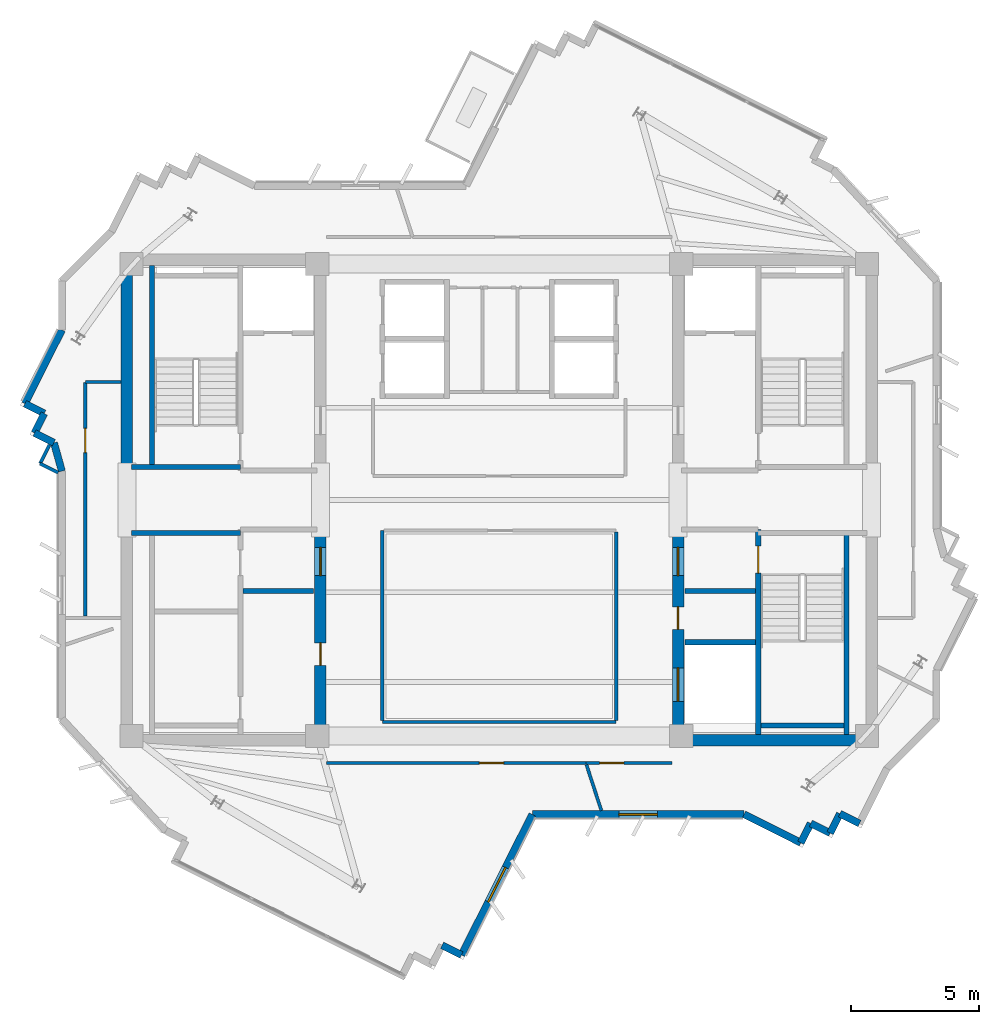
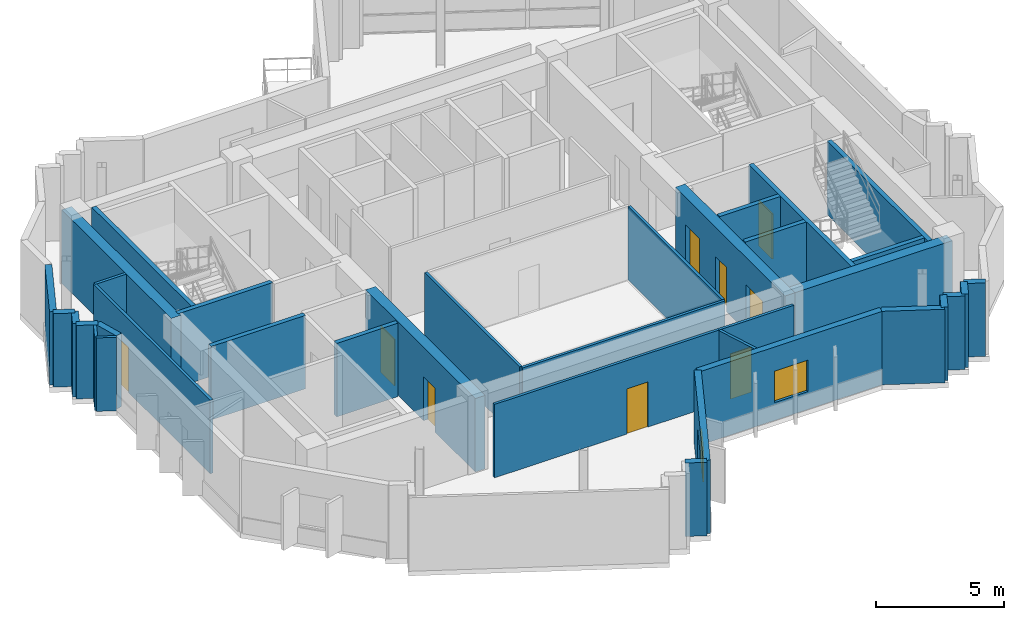
# One storey, part 6 of 11: 36 walls, 9 doors, 2 windows, 11 openings.
"""IFC4 building model written with IfcOpenShell, lengths in metres."""

from ifc_helpers import new_model, si_unit, direction, frame, frame_2d, origin, place, context, subcontext, project, spatial, rectangle, extrude, source, transform, mapped, material, layer, layer_set, type_object, element, fill, save


model = new_model("IFC4")

# Units and contexts
model_context = context("Model", 3, precision=1e-05, world=origin(), true_north=direction((0.0, 1.0)))
body_context = subcontext(model_context, "Body", "Model", "MODEL_VIEW")
ifc_project = project(units=[si_unit("LENGTHUNIT", "METRE"), si_unit("AREAUNIT", "SQUARE_METRE"), si_unit("VOLUMEUNIT", "CUBIC_METRE"), si_unit("PLANEANGLEUNIT", "RADIAN"), si_unit("MASSUNIT", "GRAM", prefix="KILO")], contexts=[model_context])

# Site, building, storey
site_placement = place(None, origin())
site = spatial("IfcSite", under=ifc_project, at=site_placement, CompositionType="ELEMENT")
building_placement = place(site_placement, origin())
building = spatial("IfcBuilding", under=site, at=building_placement, Name="Zahravan Cultural Tower", CompositionType="ELEMENT")
storey_placement = place(building_placement, frame((0.0, 0.0, 353.550048828125)))
storey = spatial("IfcBuildingStorey", under=building, at=storey_placement, Name="L86", CompositionType="ELEMENT", Elevation=353.550048828125)

# Wall, openings, doors
ifc_material_1 = material(Name="Concrete C50/60", Category="concrete")
ifc_layer_1 = layer(ifc_material_1, 0.449951171875)
ifc_layer_set_1 = layer_set([ifc_layer_1], Name="Concrete C50/60")
wall_type_1 = type_object("IfcWallType", Name="CW-SHEAR-450-C50", PredefinedType="SHEAR", material=ifc_layer_set_1)
wall_1_placement = place(storey_placement, frame((29.02490234375, 17.39990234375, 0.0), z_axis=(0.0, 0.0, 1.0), x_axis=(0.0, 1.0, 0.0)))
wall_1 = element("IfcWall", 1, at=wall_1_placement, inside=storey, type_object=wall_type_1, Name="L86 Core Shear Wall CW-W-ES-L86", PredefinedType="SHEAR", context=body_context, shape_type="SweptSolid", body=[
    extrude(rectangle(XDim=8.550048828125, YDim=0.449951171875, at=frame_2d((4.27490234375, 0.0))), origin(), (0.0, 0.0, 1.0), 3.5),
])
opening_1_placement = place(wall_1_placement, frame((6.64990234375, 0.0, 0.0)))
opening_1 = element("IfcOpeningElement", 2, at=opening_1_placement, cuts=wall_1, Name="Opening D-L86-08", PredefinedType="OPENING", context=body_context, shape_type="SweptSolid", body=[
    extrude(rectangle(XDim=1.10009765625, YDim=2.199951171875, at=frame_2d((0.550048828125, 1.10009765625))), frame((0.0, 0.23486328125, 0.0), z_axis=(0.0, -1.0, 0.0), x_axis=(1.0, 0.0, 0.0)), (0.0, 0.0, 1.0), 0.469970703125),
])
opening_2_placement = place(wall_1_placement, frame((3.14990234375, 0.0, 0.0)))
opening_2 = element("IfcOpeningElement", 3, at=opening_2_placement, cuts=wall_1, Name="Opening D-L86-10", PredefinedType="OPENING", context=body_context, shape_type="SweptSolid", body=[
    extrude(rectangle(XDim=0.8798828125, YDim=2.10009765625, at=frame_2d((0.43994140625, 1.050048828125))), frame((0.0, 0.23486328125, 0.0), z_axis=(0.0, -1.0, 0.0), x_axis=(1.0, 0.0, 0.0)), (0.0, 0.0, 1.0), 0.469970703125),
])
ifc_material_2 = material(Name="Steel ASTM A572 Grade 50", Category="steel")
door_type_1 = type_object("IfcDoorType", Name="DR-LOBBY-1100", OperationType="NOTDEFINED", PredefinedType="DOOR", material=ifc_material_2)
shared_shape_1 = source(origin(), body_context, "Body", "SweptSolid", [
    extrude(rectangle(XDim=1.10009765625, YDim=2.199951171875, at=frame_2d((0.550048828125, 1.10009765625))), frame((0.0, 0.02490234375, 0.0), z_axis=(0.0, -1.0, 0.0), x_axis=(1.0, 0.0, 0.0)), (0.0, 0.0, 1.0), 0.050048828125),
])
door_1_placement = place(opening_1_placement, origin())
door_1 = element("IfcDoor", 4, at=door_1_placement, inside=storey, type_object=door_type_1, Name="L86 Door D-L86-08", OperationType="SINGLE_SWING_RIGHT", OverallHeight=2.199951171875, OverallWidth=1.10009765625, PredefinedType="DOOR", context=body_context, shape_type="MappedRepresentation", body=[
    mapped(shared_shape_1, transform((0.0, 0.0, 0.0), x_axis=(1.0, 0.0, 0.0), y_axis=(0.0, 1.0, 0.0), z_axis=(0.0, 0.0, 1.0), scale=1.0)),
])
fill(opening_1, door_1)
door_type_2 = type_object("IfcDoorType", Name="DR-SVC-880", OperationType="NOTDEFINED", PredefinedType="DOOR", material=ifc_material_2)
shared_shape_2 = source(origin(), body_context, "Body", "SweptSolid", [
    extrude(rectangle(XDim=0.8798828125, YDim=2.10009765625, at=frame_2d((0.43994140625, 1.050048828125))), frame((0.0, 0.02490234375, 0.0), z_axis=(0.0, -1.0, 0.0), x_axis=(1.0, 0.0, 0.0)), (0.0, 0.0, 1.0), 0.050048828125),
])
door_2_placement = place(opening_2_placement, origin())
door_2 = element("IfcDoor", 5, at=door_2_placement, inside=storey, type_object=door_type_2, Name="L86 Door D-L86-10", OperationType="SINGLE_SWING_RIGHT", OverallHeight=2.10009765625, OverallWidth=0.8798828125, PredefinedType="DOOR", context=body_context, shape_type="MappedRepresentation", body=[
    mapped(shared_shape_2, transform((0.0, 0.0, 0.0), x_axis=(1.0, 0.0, 0.0), y_axis=(0.0, 1.0, 0.0), z_axis=(0.0, 0.0, 1.0), scale=1.0)),
])
fill(opening_2, door_2)

wall_2_placement = place(storey_placement, frame((42.97509765625, 17.39990234375, 0.0), z_axis=(0.0, 0.0, 1.0), x_axis=(0.0, 1.0, 0.0)))
wall_2 = element("IfcWall", 6, at=wall_2_placement, inside=storey, type_object=wall_type_1, Name="L86 Core Shear Wall CW-E-WS-L86", PredefinedType="SHEAR", context=body_context, shape_type="SweptSolid", body=[
    extrude(rectangle(XDim=8.550048828125, YDim=0.449951171875, at=frame_2d((4.27490234375, 0.0))), origin(), (0.0, 0.0, 1.0), 3.5),
])
opening_3_placement = place(wall_2_placement, frame((6.64990234375, 0.0, 0.0)))
opening_3 = element("IfcOpeningElement", 7, at=opening_3_placement, cuts=wall_2, Name="Opening D-L86-09", PredefinedType="OPENING", context=body_context, shape_type="SweptSolid", body=[
    extrude(rectangle(XDim=1.10009765625, YDim=2.199951171875, at=frame_2d((0.550048828125, 1.10009765625))), frame((0.0, 0.23486328125, 0.0), z_axis=(0.0, -1.0, 0.0), x_axis=(1.0, 0.0, 0.0)), (0.0, 0.0, 1.0), 0.469970703125),
])
opening_4_placement = place(wall_2_placement, frame((1.75, 0.0, 0.0)))
opening_4 = element("IfcOpeningElement", 8, at=opening_4_placement, cuts=wall_2, Name="Opening LD-L86-03", PredefinedType="OPENING", context=body_context, shape_type="SweptSolid", body=[
    extrude(rectangle(XDim=1.300048828125, YDim=2.199951171875, at=frame_2d((0.64990234375, 1.10009765625))), frame((0.0, 0.23486328125, 0.0), z_axis=(0.0, -1.0, 0.0), x_axis=(1.0, 0.0, 0.0)), (0.0, 0.0, 1.0), 0.469970703125),
])
opening_5_placement = place(wall_2_placement, frame((4.550048828125, 0.0, 0.0)))
opening_5 = element("IfcOpeningElement", 9, at=opening_5_placement, cuts=wall_2, Name="Opening D-L86-11", PredefinedType="OPENING", context=body_context, shape_type="SweptSolid", body=[
    extrude(rectangle(XDim=0.8798828125, YDim=2.10009765625, at=frame_2d((0.43994140625, 1.050048828125))), frame((0.0, 0.23486328125, 0.0), z_axis=(0.0, -1.0, 0.0), x_axis=(1.0, 0.0, 0.0)), (0.0, 0.0, 1.0), 0.469970703125),
])
door_3_placement = place(opening_3_placement, origin())
door_3 = element("IfcDoor", 10, at=door_3_placement, inside=storey, type_object=door_type_1, Name="L86 Door D-L86-09", OperationType="SINGLE_SWING_LEFT", OverallHeight=2.199951171875, OverallWidth=1.10009765625, PredefinedType="DOOR", context=body_context, shape_type="MappedRepresentation", body=[
    mapped(shared_shape_1, transform((0.0, 0.0, 0.0), x_axis=(1.0, 0.0, 0.0), y_axis=(0.0, 1.0, 0.0), z_axis=(0.0, 0.0, 1.0), scale=1.0)),
])
fill(opening_3, door_3)
door_type_3 = type_object("IfcDoorType", Name="DR-LIFT-1300", OperationType="DOUBLE_DOOR_SLIDING", PredefinedType="DOOR", material=ifc_material_2)
shared_shape_3 = source(origin(), body_context, "Body", "SweptSolid", [
    extrude(rectangle(XDim=1.300048828125, YDim=2.199951171875, at=frame_2d((0.64990234375, 1.10009765625))), frame((0.0, 0.02490234375, 0.0), z_axis=(0.0, -1.0, 0.0), x_axis=(1.0, 0.0, 0.0)), (0.0, 0.0, 1.0), 0.050048828125),
])
door_4_placement = place(opening_4_placement, origin())
door_4 = element("IfcDoor", 11, at=door_4_placement, inside=storey, type_object=door_type_3, Name="L86 Door LD-L86-03", OperationType="DOUBLE_DOOR_SLIDING", OverallHeight=2.199951171875, OverallWidth=1.300048828125, PredefinedType="DOOR", context=body_context, shape_type="MappedRepresentation", body=[
    mapped(shared_shape_3, transform((0.0, 0.0, 0.0), x_axis=(1.0, 0.0, 0.0), y_axis=(0.0, 1.0, 0.0), z_axis=(0.0, 0.0, 1.0), scale=1.0)),
])
fill(opening_4, door_4)
door_5_placement = place(opening_5_placement, origin())
door_5 = element("IfcDoor", 12, at=door_5_placement, inside=storey, type_object=door_type_2, Name="L86 Door D-L86-11", OperationType="SINGLE_SWING_LEFT", OverallHeight=2.10009765625, OverallWidth=0.8798828125, PredefinedType="DOOR", context=body_context, shape_type="MappedRepresentation", body=[
    mapped(shared_shape_2, transform((0.0, 0.0, 0.0), x_axis=(1.0, 0.0, 0.0), y_axis=(0.0, 1.0, 0.0), z_axis=(0.0, 0.0, 1.0), scale=1.0)),
])
fill(opening_5, door_5)

# Wall, opening, window
ifc_material_3 = material(Name="Precast concrete C40/50", Category="concrete")
ifc_layer_2 = layer(ifc_material_3, 0.280029296875)
ifc_layer_set_2 = layer_set([ifc_layer_2], Name="Precast concrete C40/50")
wall_type_2 = type_object("IfcWallType", Name="EW-TC-280", PredefinedType="SOLIDWALL", material=ifc_layer_set_2)
wall_3_placement = place(storey_placement, frame((45.5537109375, 14.739990234375, 0.0), z_axis=(0.0, 0.0, 1.0), x_axis=(-1.0, 0.0, 0.0)))
wall_3 = element("IfcWall", 13, at=wall_3_placement, inside=storey, type_object=wall_type_2, Name="L86 Exterior Masonry Frame Wall 23", PredefinedType="SOLIDWALL", context=body_context, shape_type="SweptSolid", body=[
    extrude(rectangle(XDim=8.264892578125, YDim=0.280029296875, at=frame_2d((4.13232421875, 0.0))), origin(), (0.0, 0.0, 1.0), 3.5),
])
opening_6_placement = place(wall_3_placement, frame((3.383056640625, 0.0, 0.85009765625)))
opening_6 = element("IfcOpeningElement", 14, at=opening_6_placement, cuts=wall_3, Name="Opening WN-03", PredefinedType="OPENING", context=body_context, shape_type="SweptSolid", body=[
    extrude(rectangle(XDim=1.5, YDim=1.5, at=frame_2d((0.75, 0.75))), frame((0.0, 0.14990234375, 0.0), z_axis=(0.0, -1.0, 0.0), x_axis=(1.0, 0.0, 0.0)), (0.0, 0.0, 1.0), 0.300048828125),
])
ifc_material_4 = material(Name="Low-E solar-control double glazing", Category="glass")
window_type = type_object("IfcWindowType", Name="WN-REC-1500X1500", PartitioningType="SINGLE_PANEL", PredefinedType="WINDOW", material=ifc_material_4)
shared_shape_4 = source(origin(), body_context, "Body", "SweptSolid", [
    extrude(rectangle(XDim=1.5, YDim=1.5, at=frame_2d((0.75, 0.75))), frame((0.0, 0.030029296875, 0.0), z_axis=(0.0, -1.0, 0.0), x_axis=(1.0, 0.0, 0.0)), (0.0, 0.0, 1.0), 0.06005859375),
])
window_1_placement = place(opening_6_placement, origin())
window_1 = element("IfcWindow", 15, at=window_1_placement, inside=storey, type_object=window_type, Name="L86 Recessed Solar Window 03", OverallHeight=1.5, OverallWidth=1.5, PartitioningType="SINGLE_PANEL", PredefinedType="WINDOW", context=body_context, shape_type="MappedRepresentation", body=[
    mapped(shared_shape_4, transform((0.0, 0.0, 0.0), x_axis=(1.0, 0.0, 0.0), y_axis=(0.0, 1.0, 0.0), z_axis=(0.0, 0.0, 1.0), scale=1.0)),
])
fill(opening_6, window_1)

wall_4_placement = place(storey_placement, frame((37.288818359375, 14.739990234375, 0.0), z_axis=(0.0, 0.0, 1.0), x_axis=(-0.449325511899, -0.893368112458, 0.0)))
wall_4 = element("IfcWall", 16, at=wall_4_placement, inside=storey, type_object=wall_type_2, Name="L86 Exterior Masonry Frame Wall 24", PredefinedType="SOLIDWALL", context=body_context, shape_type="SweptSolid", body=[
    extrude(rectangle(XDim=6.146484375, YDim=0.280029296875, at=frame_2d((3.0732421875, 0.0))), origin(), (0.0, 0.0, 1.0), 3.5),
])
opening_7_placement = place(wall_4_placement, frame((2.322998046875, 0.0, 0.85009765625)))
opening_7 = element("IfcOpeningElement", 17, at=opening_7_placement, cuts=wall_4, Name="Opening WN-03", PredefinedType="OPENING", context=body_context, shape_type="SweptSolid", body=[
    extrude(rectangle(XDim=1.5, YDim=1.5, at=frame_2d((0.75, 0.75))), frame((0.0, 0.14990234375, 0.0), z_axis=(0.0, -1.0, 0.0), x_axis=(1.0, 0.0, 0.0)), (0.0, 0.0, 1.0), 0.300048828125),
])
window_2_placement = place(opening_7_placement, origin())
window_2 = element("IfcWindow", 18, at=window_2_placement, inside=storey, type_object=window_type, Name="L86 Recessed Solar Window 04", OverallHeight=1.5, OverallWidth=1.5, PartitioningType="SINGLE_PANEL", PredefinedType="WINDOW", context=body_context, shape_type="MappedRepresentation", body=[
    mapped(shared_shape_4, transform((0.0, 0.0, 0.0), x_axis=(1.0, 0.0, 0.0), y_axis=(0.0, 1.0, 0.0), z_axis=(0.0, 0.0, 1.0), scale=1.0)),
])
fill(opening_7, window_2)

# Wall, opening, door
ifc_material_5 = material(Name="Gypsum plasterboard partition")
ifc_layer_3 = layer(ifc_material_5, 0.125)
ifc_layer_set_3 = layer_set([ifc_layer_3], Name="Gypsum plasterboard partition")
wall_type_3 = type_object("IfcWallType", Name="W-PART-125", PredefinedType="PARTITIONING", material=ifc_layer_set_3)
wall_5_placement = place(storey_placement, frame((39.380126953125, 16.739990234375, 0.0), z_axis=(0.0, 0.0, 1.0), x_axis=(1.0, 0.0, 0.0)))
wall_5 = element("IfcWall", 19, at=wall_5_placement, inside=storey, type_object=wall_type_3, Name="L86 Interior Wall 059", PredefinedType="PARTITIONING", context=body_context, shape_type="SweptSolid", body=[
    extrude(rectangle(XDim=3.364013671875, YDim=0.125, at=frame_2d((1.68212890625, 0.0))), origin(), (0.0, 0.0, 1.0), 3.5),
])
opening_8_placement = place(wall_5_placement, frame((0.531005859375, 0.0, 0.0)))
opening_8 = element("IfcOpeningElement", 20, at=opening_8_placement, cuts=wall_5, Name="Opening D-L86-20", PredefinedType="OPENING", context=body_context, shape_type="SweptSolid", body=[
    extrude(rectangle(XDim=0.949951171875, YDim=2.14990234375, at=frame_2d((0.47509765625, 1.074951171875))), frame((0.0, 0.072509765625, 0.0), z_axis=(0.0, -1.0, 0.0), x_axis=(1.0, 0.0, 0.0)), (0.0, 0.0, 1.0), 0.14501953125),
])
ifc_material_6 = material(Name="Anodised bronze-aluminium mullion", Category="aluminium")
door_type_4 = type_object("IfcDoorType", Name="DR-ROOM-950", OperationType="NOTDEFINED", PredefinedType="DOOR", material=ifc_material_6)
shared_shape_5 = source(origin(), body_context, "Body", "SweptSolid", [
    extrude(rectangle(XDim=0.949951171875, YDim=2.14990234375, at=frame_2d((0.47509765625, 1.074951171875))), frame((0.0, 0.02490234375, 0.0), z_axis=(0.0, -1.0, 0.0), x_axis=(1.0, 0.0, 0.0)), (0.0, 0.0, 1.0), 0.050048828125),
])
door_6_placement = place(opening_8_placement, origin())
door_6 = element("IfcDoor", 21, at=door_6_placement, inside=storey, type_object=door_type_4, Name="L86 Door D-L86-20", OperationType="SINGLE_SWING_RIGHT", OverallHeight=2.14990234375, OverallWidth=0.949951171875, PredefinedType="DOOR", context=body_context, shape_type="MappedRepresentation", body=[
    mapped(shared_shape_5, transform((0.0, 0.0, 0.0), x_axis=(1.0, 0.0, 0.0), y_axis=(0.0, 1.0, 0.0), z_axis=(0.0, 0.0, 1.0), scale=1.0)),
])
fill(opening_8, door_6)

wall_6_placement = place(storey_placement, frame((19.850341796875, 31.59228515625, 0.0), z_axis=(0.0, 0.0, 1.0), x_axis=(8.027615e-05, -0.999999996778, 0.0)))
wall_6 = element("IfcWall", 22, at=wall_6_placement, inside=storey, type_object=wall_type_3, Name="L86 Interior Wall 068", PredefinedType="PARTITIONING", context=body_context, shape_type="SweptSolid", body=[
    extrude(rectangle(XDim=9.123779296875, YDim=0.125, at=frame_2d((4.56201171875, 0.0))), origin(), (0.0, 0.0, 1.0), 3.5),
])
opening_9_placement = place(wall_6_placement, frame((1.79833984375, 0.0, 0.0)))
opening_9 = element("IfcOpeningElement", 23, at=opening_9_placement, cuts=wall_6, Name="Opening D-L86-18", PredefinedType="OPENING", context=body_context, shape_type="SweptSolid", body=[
    extrude(rectangle(XDim=0.949951171875, YDim=2.14990234375, at=frame_2d((0.47509765625, 1.074951171875))), frame((0.0, 0.072509765625, 0.0), z_axis=(0.0, -1.0, 0.0), x_axis=(1.0, 0.0, 0.0)), (0.0, 0.0, 1.0), 0.14501953125),
])
door_7_placement = place(opening_9_placement, origin())
door_7 = element("IfcDoor", 24, at=door_7_placement, inside=storey, type_object=door_type_4, Name="L86 Door D-L86-18", OperationType="SINGLE_SWING_RIGHT", OverallHeight=2.14990234375, OverallWidth=0.949951171875, PredefinedType="DOOR", context=body_context, shape_type="MappedRepresentation", body=[
    mapped(shared_shape_5, transform((0.0, 0.0, 0.0), x_axis=(1.0, 0.0, 0.0), y_axis=(0.0, 1.0, 0.0), z_axis=(0.0, 0.0, 1.0), scale=1.0)),
])
fill(opening_9, door_7)

wall_7_placement = place(storey_placement, frame((29.257568359375, 16.740234375, 0.0), z_axis=(0.0, 0.0, 1.0), x_axis=(0.999999999709, -2.411847e-05, 0.0)))
wall_7 = element("IfcWall", 25, at=wall_7_placement, inside=storey, type_object=wall_type_3, Name="L86 Interior Wall 073", PredefinedType="PARTITIONING", context=body_context, shape_type="SweptSolid", body=[
    extrude(rectangle(XDim=10.12255859375, YDim=0.125, at=frame_2d((5.061279296875, 0.0))), origin(), (0.0, 0.0, 1.0), 3.5),
])
opening_10_placement = place(wall_7_placement, frame((5.962158203125, 0.0, 0.0)))
opening_10 = element("IfcOpeningElement", 26, at=opening_10_placement, cuts=wall_7, Name="Opening D-L86-19", PredefinedType="OPENING", context=body_context, shape_type="SweptSolid", body=[
    extrude(rectangle(XDim=0.949951171875, YDim=2.14990234375, at=frame_2d((0.47509765625, 1.074951171875))), frame((0.0, 0.072509765625, 0.0), z_axis=(0.0, -1.0, 0.0), x_axis=(1.0, 0.0, 0.0)), (0.0, 0.0, 1.0), 0.14501953125),
])
door_8_placement = place(opening_10_placement, origin())
door_8 = element("IfcDoor", 27, at=door_8_placement, inside=storey, type_object=door_type_4, Name="L86 Door D-L86-19", OperationType="SINGLE_SWING_LEFT", OverallHeight=2.14990234375, OverallWidth=0.949951171875, PredefinedType="DOOR", context=body_context, shape_type="MappedRepresentation", body=[
    mapped(shared_shape_5, transform((0.0, 0.0, 0.0), x_axis=(1.0, 0.0, 0.0), y_axis=(0.0, 1.0, 0.0), z_axis=(0.0, 0.0, 1.0), scale=1.0)),
])
fill(opening_10, door_8)

ifc_material_7 = material(Name="Concrete C45/55", Category="concrete")
ifc_layer_4 = layer(ifc_material_7, 0.199951171875)
ifc_layer_set_4 = layer_set([ifc_layer_4], Name="Concrete C45/55")
wall_type_4 = type_object("IfcWallType", Name="W-SHAFT-200", PredefinedType="SOLIDWALL", material=ifc_layer_set_4)
wall_8_placement = place(storey_placement, frame((46.10009765625, 17.85009765625, 0.0), z_axis=(0.0, 0.0, 1.0), x_axis=(0.0, 1.0, 0.0)))
wall_8 = element("IfcWall", 28, at=wall_8_placement, inside=storey, type_object=wall_type_4, Name="L86 Interior Wall 007", PredefinedType="SOLIDWALL", context=body_context, shape_type="SweptSolid", body=[
    extrude(rectangle(XDim=8.0, YDim=0.199951171875, at=frame_2d((4.0, 0.0))), origin(), (0.0, 0.0, 1.0), 3.5),
])
opening_11_placement = place(wall_8_placement, frame((6.300048828125, 0.0, 0.0)))
opening_11 = element("IfcOpeningElement", 29, at=opening_11_placement, cuts=wall_8, Name="Opening D-L86-03", PredefinedType="OPENING", context=body_context, shape_type="SweptSolid", body=[
    extrude(rectangle(XDim=1.050048828125, YDim=2.14990234375, at=frame_2d((0.52490234375, 1.074951171875))), frame((0.0, 0.10986328125, 0.0), z_axis=(0.0, -1.0, 0.0), x_axis=(1.0, 0.0, 0.0)), (0.0, 0.0, 1.0), 0.219970703125),
])
door_type_5 = type_object("IfcDoorType", Name="DR-STAIR-1050", OperationType="NOTDEFINED", PredefinedType="DOOR", material=ifc_material_2)
shared_shape_6 = source(origin(), body_context, "Body", "SweptSolid", [
    extrude(rectangle(XDim=1.050048828125, YDim=2.14990234375, at=frame_2d((0.52490234375, 1.074951171875))), frame((0.0, 0.02490234375, 0.0), z_axis=(0.0, -1.0, 0.0), x_axis=(1.0, 0.0, 0.0)), (0.0, 0.0, 1.0), 0.050048828125),
])
door_9_placement = place(opening_11_placement, origin())
door_9 = element("IfcDoor", 30, at=door_9_placement, inside=storey, type_object=door_type_5, Name="L86 Door D-L86-03", OperationType="SINGLE_SWING_LEFT", OverallHeight=2.14990234375, OverallWidth=1.050048828125, PredefinedType="DOOR", context=body_context, shape_type="MappedRepresentation", body=[
    mapped(shared_shape_6, transform((0.0, 0.0, 0.0), x_axis=(1.0, 0.0, 0.0), y_axis=(0.0, 1.0, 0.0), z_axis=(0.0, 0.0, 1.0), scale=1.0)),
])
fill(opening_11, door_9)

# Walls
shared_shape_7 = source(origin(), body_context, "Body", "SweptSolid", [
    extrude(rectangle(XDim=8.550048828125, YDim=0.449951171875, at=frame_2d((4.27490234375, 0.0))), origin(), (0.0, 0.0, 1.0), 3.5),
])
wall_9_placement = place(storey_placement, frame((21.47509765625, 28.050048828125, 0.0), z_axis=(0.0, 0.0, 1.0), x_axis=(0.0, 1.0, 0.0)))
element("IfcWall", 31, at=wall_9_placement, inside=storey, type_object=wall_type_1, Name="L86 Core Shear Wall CW-W-WN-L86", PredefinedType="SHEAR", context=body_context, shape_type="MappedRepresentation", body=[
    mapped(shared_shape_7, transform((0.0, 0.0, 0.0), x_axis=(1.0, 0.0, 0.0), y_axis=(0.0, 1.0, 0.0), z_axis=(0.0, 0.0, 1.0), scale=1.0)),
])
shared_shape_8 = source(origin(), body_context, "Body", "SweptSolid", [
    extrude(rectangle(XDim=7.10009765625, YDim=0.449951171875, at=frame_2d((3.550048828125, 0.0))), origin(), (0.0, 0.0, 1.0), 3.5),
])
wall_10_placement = place(storey_placement, frame((43.199951171875, 17.625, 0.0), z_axis=(0.0, 0.0, 1.0), x_axis=(1.0, 0.0, 0.0)))
element("IfcWall", 32, at=wall_10_placement, inside=storey, type_object=wall_type_1, Name="L86 Core Shear Wall CW-E-S-L86", PredefinedType="SHEAR", context=body_context, shape_type="MappedRepresentation", body=[
    mapped(shared_shape_8, transform((0.0, 0.0, 0.0), x_axis=(1.0, 0.0, 0.0), y_axis=(0.0, 1.0, 0.0), z_axis=(0.0, 0.0, 1.0), scale=1.0)),
])
shared_shape_9 = source(origin(), body_context, "Body", "SweptSolid", [
    extrude(rectangle(XDim=0.85009765625, YDim=0.280029296875, at=frame_2d((0.425048828125, 0.0))), origin(), (0.0, 0.0, 1.0), 3.5),
])
for number, where, z_axis, x_axis, name in (
    (33, (49.289306640625, 14.76416015625, 0.0), (0.0, 0.0, 1.0), (-0.449509934066, -0.893275332233, 0.0), "L86 Exterior Masonry Frame Wall 19"),
    (34, (34.527099609375, 9.2490234375, 0.0), (0.0, 0.0, 1.0), (-0.893333346715, 0.449394627968, 0.0), "L86 Exterior Masonry Frame Wall 25"),
    (35, (18.631103515625, 29.232421875, 0.0), (0.0, 0.0, 1.0), (-0.893448612452, 0.449165422653, 0.0), "L86 Exterior Masonry Frame Wall 34"),
    (36, (18.25341796875, 30.37353515625, 0.0), (0.0, 0.0, 1.0), (-0.893275332233, 0.449509934066, 0.0), "L86 Exterior Masonry Frame Wall 36"),
):
    element("IfcWall", number, at=place(storey_placement, frame(where, z_axis=z_axis, x_axis=x_axis)), inside=storey, type_object=wall_type_2, Name=name, PredefinedType="SOLIDWALL", context=body_context, shape_type="MappedRepresentation", body=[
        mapped(shared_shape_9, transform((0.0, 0.0, 0.0), x_axis=(1.0, 0.0, 0.0), y_axis=(0.0, 1.0, 0.0), z_axis=(0.0, 0.0, 1.0), scale=1.0)),
    ])
shared_shape_10 = source(origin(), body_context, "Body", "SweptSolid", [
    extrude(rectangle(XDim=0.849853515625, YDim=0.280029296875, at=frame_2d((0.4248046875, 0.0))), origin(), (0.0, 0.0, 1.0), 3.5),
])
for number, where, z_axis, x_axis, name in (
    (37, (50.048583984375, 14.38232421875, 0.0), (0.0, 0.0, 1.0), (-0.89339064965, 0.449280699695, 0.0), "L86 Exterior Masonry Frame Wall 18"),
    (38, (48.9072265625, 14.0048828125, 0.0), (0.0, 0.0, 1.0), (-0.89339064965, 0.449280699695, 0.0), "L86 Exterior Masonry Frame Wall 20"),
    (39, (48.14794921875, 14.38671875, 0.0), (0.0, 0.0, 1.0), (-0.449280699695, -0.89339064965, 0.0), "L86 Exterior Masonry Frame Wall 21"),
    (40, (17.87158203125, 29.6142578125, 0.0), (0.0, 0.0, 1.0), (0.449280699695, 0.89339064965, 0.0), "L86 Exterior Masonry Frame Wall 35"),
):
    element("IfcWall", number, at=place(storey_placement, frame(where, z_axis=z_axis, x_axis=x_axis)), inside=storey, type_object=wall_type_2, Name=name, PredefinedType="SOLIDWALL", context=body_context, shape_type="MappedRepresentation", body=[
        mapped(shared_shape_10, transform((0.0, 0.0, 0.0), x_axis=(1.0, 0.0, 0.0), y_axis=(0.0, 1.0, 0.0), z_axis=(0.0, 0.0, 1.0), scale=1.0)),
    ])
shared_shape_11 = source(origin(), body_context, "Body", "SweptSolid", [
    extrude(rectangle(XDim=1.149169921875, YDim=0.280029296875, at=frame_2d((0.57470703125, 0.0))), origin(), (0.0, 0.0, 1.0), 3.5),
])
wall_11_placement = place(storey_placement, frame((18.93994140625, 28.12548828125, 0.0), z_axis=(0.0, 0.0, 1.0), x_axis=(-0.268739381154, 0.963212928182, 0.0)))
element("IfcWall", 41, at=wall_11_placement, inside=storey, type_object=wall_type_2, Name="L86 Exterior Masonry Frame Wall 33", PredefinedType="SOLIDWALL", context=body_context, shape_type="MappedRepresentation", body=[
    mapped(shared_shape_11, transform((0.0, 0.0, 0.0), x_axis=(1.0, 0.0, 0.0), y_axis=(0.0, 1.0, 0.0), z_axis=(0.0, 0.0, 1.0), scale=1.0)),
])
shared_shape_12 = source(origin(), body_context, "Body", "SweptSolid", [
    extrude(rectangle(XDim=3.217529296875, YDim=0.280029296875, at=frame_2d((1.60888671875, 0.0))), origin(), (0.0, 0.0, 1.0), 3.5),
])
wall_12_placement = place(storey_placement, frame((17.494140625, 30.755615234375, 0.0), z_axis=(0.0, 0.0, 1.0), x_axis=(0.449336858059, 0.89336240574, 0.0)))
element("IfcWall", 42, at=wall_12_placement, inside=storey, type_object=wall_type_2, Name="L86 Exterior Masonry Frame Wall 37", PredefinedType="SOLIDWALL", context=body_context, shape_type="MappedRepresentation", body=[
    mapped(shared_shape_12, transform((0.0, 0.0, 0.0), x_axis=(1.0, 0.0, 0.0), y_axis=(0.0, 1.0, 0.0), z_axis=(0.0, 0.0, 1.0), scale=1.0)),
])
shared_shape_13 = source(origin(), body_context, "Body", "SweptSolid", [
    extrude(rectangle(XDim=2.476318359375, YDim=0.280029296875, at=frame_2d((1.23828125, 0.0))), origin(), (0.0, 0.0, 1.0), 3.5),
])
wall_13_placement = place(storey_placement, frame((47.76611328125, 13.62744140625, 0.0), z_axis=(0.0, 0.0, 1.0), x_axis=(-0.893399530761, 0.449263039249, 0.0)))
element("IfcWall", 43, at=wall_13_placement, inside=storey, type_object=wall_type_2, Name="L86 Exterior Masonry Frame Wall 22", PredefinedType="SOLIDWALL", context=body_context, shape_type="MappedRepresentation", body=[
    mapped(shared_shape_13, transform((0.0, 0.0, 0.0), x_axis=(1.0, 0.0, 0.0), y_axis=(0.0, 1.0, 0.0), z_axis=(0.0, 0.0, 1.0), scale=1.0)),
])
shared_shape_14 = source(origin(), body_context, "Body", "SweptSolid", [
    extrude(rectangle(XDim=7.869873046875, YDim=0.199951171875, at=frame_2d((3.93505859375, 0.0))), origin(), (0.0, 0.0, 1.0), 3.5),
])
for number, where, z_axis, x_axis, name in (
    (44, (22.449951171875, 28.280029296875, 0.0), (0.0, 0.0, 1.0), (0.0, 1.0, 0.0), "L86 Interior Wall 002"),
    (45, (49.550048828125, 17.85009765625, 0.0), (0.0, 0.0, 1.0), (0.0, 1.0, 0.0), "L86 Interior Wall 003"),
):
    element("IfcWall", number, at=place(storey_placement, frame(where, z_axis=z_axis, x_axis=x_axis)), inside=storey, type_object=wall_type_4, Name=name, PredefinedType="SOLIDWALL", context=body_context, shape_type="MappedRepresentation", body=[
        mapped(shared_shape_14, transform((0.0, 0.0, 0.0), x_axis=(1.0, 0.0, 0.0), y_axis=(0.0, 1.0, 0.0), z_axis=(0.0, 0.0, 1.0), scale=1.0)),
    ])
shared_shape_15 = source(origin(), body_context, "Body", "SweptSolid", [
    extrude(rectangle(XDim=4.25, YDim=0.199951171875, at=frame_2d((2.125, 0.0))), origin(), (0.0, 0.0, 1.0), 3.5),
])
for number, where, z_axis, x_axis, name in (
    (46, (21.64990234375, 25.715087890625, 0.0), (0.0, 0.0, 1.0), (1.0, 0.0, 0.0), "L86 Interior Wall 009"),
    (47, (21.64990234375, 28.284912109375, 0.0), (0.0, 0.0, 1.0), (1.0, 0.0, 0.0), "L86 Interior Wall 011"),
):
    element("IfcWall", number, at=place(storey_placement, frame(where, z_axis=z_axis, x_axis=x_axis)), inside=storey, type_object=wall_type_4, Name=name, PredefinedType="SOLIDWALL", context=body_context, shape_type="MappedRepresentation", body=[
        mapped(shared_shape_15, transform((0.0, 0.0, 0.0), x_axis=(1.0, 0.0, 0.0), y_axis=(0.0, 1.0, 0.0), z_axis=(0.0, 0.0, 1.0), scale=1.0)),
    ])
shared_shape_16 = source(origin(), body_context, "Body", "SweptSolid", [
    extrude(rectangle(XDim=3.25, YDim=0.199951171875, at=frame_2d((1.625, 0.0))), origin(), (0.0, 0.0, 1.0), 3.5),
])
wall_14_placement = place(storey_placement, frame((46.199951171875, 18.199951171875, 0.0), z_axis=(0.0, 0.0, 1.0), x_axis=(1.0, 0.0, 0.0)))
element("IfcWall", 48, at=wall_14_placement, inside=storey, type_object=wall_type_4, Name="L86 Interior Wall 020", PredefinedType="SOLIDWALL", context=body_context, shape_type="MappedRepresentation", body=[
    mapped(shared_shape_16, transform((0.0, 0.0, 0.0), x_axis=(1.0, 0.0, 0.0), y_axis=(0.0, 1.0, 0.0), z_axis=(0.0, 0.0, 1.0), scale=1.0)),
])
shared_shape_17 = source(origin(), body_context, "Body", "SweptSolid", [
    extrude(rectangle(XDim=2.75, YDim=0.199951171875, at=frame_2d((1.375, 0.0))), origin(), (0.0, 0.0, 1.0), 3.5),
])
for number, where, z_axis, x_axis, name in (
    (49, (26.0, 23.449951171875, 0.0), (0.0, 0.0, 1.0), (1.0, 0.0, 0.0), "L86 Interior Wall 024"),
    (50, (43.25, 23.449951171875, 0.0), (0.0, 0.0, 1.0), (1.0, 0.0, 0.0), "L86 Interior Wall 025"),
    (51, (43.25, 21.449951171875, 0.0), (0.0, 0.0, 1.0), (1.0, 0.0, 0.0), "L86 Interior Wall 026"),
):
    element("IfcWall", number, at=place(storey_placement, frame(where, z_axis=z_axis, x_axis=x_axis)), inside=storey, type_object=wall_type_4, Name=name, PredefinedType="SOLIDWALL", context=body_context, shape_type="MappedRepresentation", body=[
        mapped(shared_shape_17, transform((0.0, 0.0, 0.0), x_axis=(1.0, 0.0, 0.0), y_axis=(0.0, 1.0, 0.0), z_axis=(0.0, 0.0, 1.0), scale=1.0)),
    ])
shared_shape_18 = source(origin(), body_context, "Body", "SweptSolid", [
    extrude(rectangle(XDim=1.38916015625, YDim=0.125, at=frame_2d((0.694580078125, 0.0))), origin(), (0.0, 0.0, 1.0), 3.5),
])
wall_15_placement = place(storey_placement, frame((21.2451171875, 31.60009765625, 0.0), z_axis=(0.0, 0.0, 1.0), x_axis=(-1.0, 0.0, 0.0)))
element("IfcWall", 52, at=wall_15_placement, inside=storey, type_object=wall_type_3, Name="L86 Interior Wall 067", PredefinedType="PARTITIONING", context=body_context, shape_type="MappedRepresentation", body=[
    mapped(shared_shape_18, transform((0.0, 0.0, 0.0), x_axis=(1.0, 0.0, 0.0), y_axis=(0.0, 1.0, 0.0), z_axis=(0.0, 0.0, 1.0), scale=1.0)),
])
shared_shape_19 = source(origin(), body_context, "Body", "SweptSolid", [
    extrude(rectangle(XDim=7.402587890625, YDim=0.125, at=frame_2d((3.701171875, 0.0))), origin(), (0.0, 0.0, 1.0), 3.5),
])
wall_16_placement = place(storey_placement, frame((31.43994140625, 18.407470703125, 0.0), z_axis=(0.0, 0.0, 1.0), x_axis=(0.0, 1.0, 0.0)))
element("IfcWall", 53, at=wall_16_placement, inside=storey, type_object=wall_type_3, Name="L86 Interior Wall 070", PredefinedType="PARTITIONING", context=body_context, shape_type="MappedRepresentation", body=[
    mapped(shared_shape_19, transform((0.0, 0.0, 0.0), x_axis=(1.0, 0.0, 0.0), y_axis=(0.0, 1.0, 0.0), z_axis=(0.0, 0.0, 1.0), scale=1.0)),
])
shared_shape_20 = source(origin(), body_context, "Body", "SweptSolid", [
    extrude(rectangle(XDim=7.3349609375, YDim=0.125, at=frame_2d((3.66748046875, 0.0))), origin(), (0.0, 0.0, 1.0), 3.5),
])
wall_17_placement = place(storey_placement, frame((40.56005859375, 25.742431640625, 0.0), z_axis=(0.0, 0.0, 1.0), x_axis=(0.0, -1.0, 0.0)))
element("IfcWall", 54, at=wall_17_placement, inside=storey, type_object=wall_type_3, Name="L86 Interior Wall 072", PredefinedType="PARTITIONING", context=body_context, shape_type="MappedRepresentation", body=[
    mapped(shared_shape_20, transform((0.0, 0.0, 0.0), x_axis=(1.0, 0.0, 0.0), y_axis=(0.0, 1.0, 0.0), z_axis=(0.0, 0.0, 1.0), scale=1.0)),
])
shared_shape_21 = source(origin(), body_context, "Body", "SweptSolid", [
    extrude(rectangle(XDim=9.1201171875, YDim=0.125, at=frame_2d((4.56005859375, 0.0))), origin(), (0.0, 0.0, 1.0), 3.5),
])
wall_18_placement = place(storey_placement, frame((40.56005859375, 18.340087890625, 0.0), z_axis=(0.0, 0.0, 1.0), x_axis=(-1.0, 0.0, 0.0)))
element("IfcWall", 55, at=wall_18_placement, inside=storey, type_object=wall_type_3, Name="L86 Interior Wall 069", PredefinedType="PARTITIONING", context=body_context, shape_type="MappedRepresentation", body=[
    mapped(shared_shape_21, transform((0.0, 0.0, 0.0), x_axis=(1.0, 0.0, 0.0), y_axis=(0.0, 1.0, 0.0), z_axis=(0.0, 0.0, 1.0), scale=1.0)),
])
shared_shape_22 = source(origin(), body_context, "Body", "SweptSolid", [
    extrude(rectangle(XDim=0.791259765625, YDim=0.125, at=frame_2d((0.3955078125, 0.0))), origin(), (0.0, 0.0, 1.0), 3.5),
])
wall_19_placement = place(storey_placement, frame((18.794921875, 28.06396484375, 0.0), z_axis=(0.0, 0.0, 1.0), x_axis=(-0.893437787625, 0.449186953999, 0.0)))
element("IfcWall", 56, at=wall_19_placement, inside=storey, type_object=wall_type_3, Name="L86 Interior Wall 063", PredefinedType="PARTITIONING", context=body_context, shape_type="MappedRepresentation", body=[
    mapped(shared_shape_22, transform((0.0, 0.0, 0.0), x_axis=(1.0, 0.0, 0.0), y_axis=(0.0, 1.0, 0.0), z_axis=(0.0, 0.0, 1.0), scale=1.0)),
])
shared_shape_23 = source(origin(), body_context, "Body", "SweptSolid", [
    extrude(rectangle(XDim=0.8251953125, YDim=0.125, at=frame_2d((0.41259765625, 0.0))), origin(), (0.0, 0.0, 1.0), 3.5),
])
wall_20_placement = place(storey_placement, frame((18.087890625, 28.41943359375, 0.0), z_axis=(0.0, 0.0, 1.0), x_axis=(0.449106057678, 0.893478454669, 0.0)))
element("IfcWall", 57, at=wall_20_placement, inside=storey, type_object=wall_type_3, Name="L86 Interior Wall 064", PredefinedType="PARTITIONING", context=body_context, shape_type="MappedRepresentation", body=[
    mapped(shared_shape_23, transform((0.0, 0.0, 0.0), x_axis=(1.0, 0.0, 0.0), y_axis=(0.0, 1.0, 0.0), z_axis=(0.0, 0.0, 1.0), scale=1.0)),
])
shared_shape_24 = source(origin(), body_context, "Body", "SweptSolid", [
    extrude(rectangle(XDim=1.8798828125, YDim=0.125, at=frame_2d((0.93994140625, 0.0))), origin(), (0.0, 0.0, 1.0), 3.5),
])
wall_21_placement = place(storey_placement, frame((39.98388671875, 14.885009765625, 0.0), z_axis=(0.0, 0.0, 1.0), x_axis=(-0.309479545997, 0.950906099786, 0.0)))
element("IfcWall", 58, at=wall_21_placement, inside=storey, type_object=wall_type_3, Name="L86 Interior Wall 060", PredefinedType="PARTITIONING", context=body_context, shape_type="MappedRepresentation", body=[
    mapped(shared_shape_24, transform((0.0, 0.0, 0.0), x_axis=(1.0, 0.0, 0.0), y_axis=(0.0, 1.0, 0.0), z_axis=(0.0, 0.0, 1.0), scale=1.0)),
])

save(model, "model.ifc")
